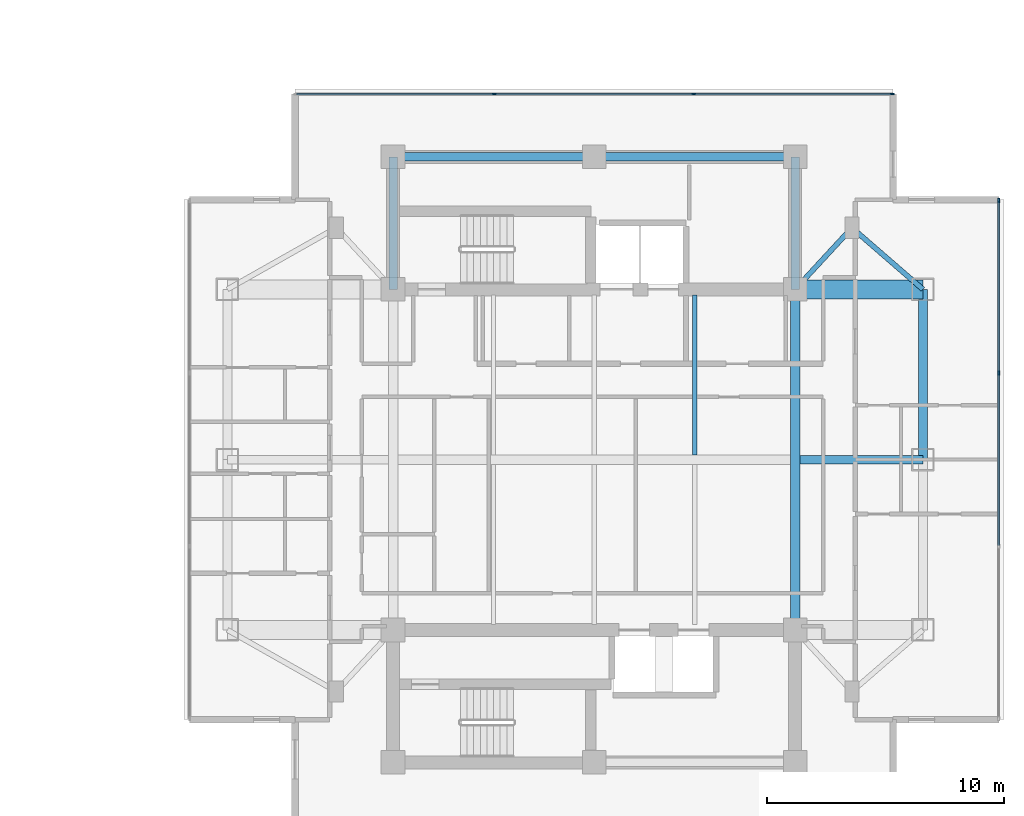
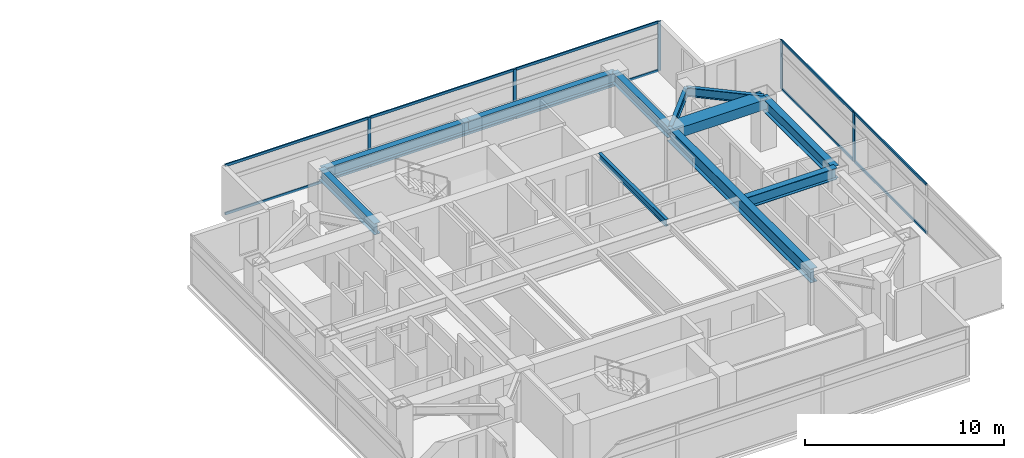
# One storey, part 10 of 24: 15 members, 11 beams, 2 elements without a shape of their own.
"""IFC4 building model written with IfcOpenShell, lengths in metres."""

from ifc_helpers import new_model, si_unit, direction, frame, origin, origin_2d, place, context, subcontext, project, spatial, rectangle, i_section, extrude, material, material_profile, profile_set, type_object, element, aggregate, save


model = new_model("IFC4")

# Units and contexts
model_context = context("Model", 3, precision=1e-05, world=origin(), true_north=direction((0.0, 1.0)))
body_context = subcontext(model_context, "Body", "Model", "MODEL_VIEW")
ifc_project = project(units=[si_unit("LENGTHUNIT", "METRE"), si_unit("AREAUNIT", "SQUARE_METRE"), si_unit("VOLUMEUNIT", "CUBIC_METRE"), si_unit("PLANEANGLEUNIT", "RADIAN"), si_unit("MASSUNIT", "GRAM", prefix="KILO")], contexts=[model_context])

# Site, building, storey
site_placement = place(None, origin())
site = spatial("IfcSite", under=ifc_project, at=site_placement, CompositionType="ELEMENT")
building_placement = place(site_placement, origin())
building = spatial("IfcBuilding", under=site, at=building_placement, Name="Mirazonda Arch Towers", CompositionType="ELEMENT")
storey_placement = place(building_placement, frame((0.0, 0.0, 160.89990234375)))
storey = spatial("IfcBuildingStorey", under=building, at=storey_placement, Name="L45", CompositionType="ELEMENT", Elevation=160.89990234375)

# Beams
ifc_material_1 = material(Name="Steel ASTM A992 Grade 50", Category="steel")
ifc_material_profile_1 = material_profile(ifc_material_1, i_section(OverallWidth=0.381103515625, OverallDepth=0.77294921875, WebThickness=0.0166015625, FlangeThickness=0.027099609375, at=origin_2d()), Name="W30X173")
ifc_profile_set_1 = profile_set([ifc_material_profile_1], Name="Steel ASTM A992 Grade 50")
beam_type_1 = type_object("IfcBeamType", Name="BM-EXT-W30X173", PredefinedType="USERDEFINED", material=ifc_profile_set_1)
beam_1_placement = place(storey_placement, frame((90.39990234375, 28.0, 2.66357421875), z_axis=(0.0, 1.0, 0.0), x_axis=(-1.0, 0.0, 0.0)))
element("IfcBeam", 1, at=beam_1_placement, inside=storey, type_object=beam_type_1, Name="L45 Floor Beam BM-T2-L45-NS-E-28", ObjectType="GIRDER", PredefinedType="USERDEFINED", context=body_context, shape_type="SweptSolid", body=[
    extrude(i_section(OverallWidth=0.381103515625, OverallDepth=0.77294921875, WebThickness=0.0166015625, FlangeThickness=0.027099609375, at=origin_2d()), origin(), (0.0, 0.0, 1.0), 7.199951171875),
])
ifc_material_profile_2 = material_profile(ifc_material_1, i_section(OverallWidth=0.180908203125, OverallDepth=0.4169921875, WebThickness=0.010986328125, FlangeThickness=0.018310546875, at=origin_2d()), Name="W16X57")
ifc_profile_set_2 = profile_set([ifc_material_profile_2], Name="Steel ASTM A992 Grade 50")
beam_type_2 = type_object("IfcBeamType", Name="BM-INT-W16X57", PredefinedType="JOIST", material=ifc_profile_set_2)
beam_2_placement = place(storey_placement, frame((80.75, 28.196044921875, 2.841552734375), z_axis=(0.0, 1.0, 0.0), x_axis=(-1.0, 0.0, 0.0)))
element("IfcBeam", 2, at=beam_2_placement, inside=storey, type_object=beam_type_2, Name="L45 Floor Beam BM-T2-L45-J-807-28", PredefinedType="JOIST", context=body_context, shape_type="SweptSolid", body=[
    extrude(i_section(OverallWidth=0.180908203125, OverallDepth=0.4169921875, WebThickness=0.010986328125, FlangeThickness=0.018310546875, at=origin_2d()), origin(), (0.0, 0.0, 1.0), 6.763916015625),
])
ifc_material_profile_3 = material_profile(ifc_material_1, i_section(OverallWidth=0.214111328125, OverallDepth=0.549072265625, WebThickness=0.0146484375, FlangeThickness=0.023681640625, at=origin_2d()), Name="W21X93")
ifc_profile_set_3 = profile_set([ifc_material_profile_3], Name="Steel ASTM A992 Grade 50")
beam_type_3 = type_object("IfcBeamType", Name="BM-INT-W21X93", PredefinedType="BEAM", material=ifc_profile_set_3)
beam_3_placement = place(storey_placement, frame((87.39990234375, 37.800048828125, 2.775634765625), z_axis=(-0.678251444854, -0.734829897019, 0.0), x_axis=(0.734829897019, -0.678251444854, 0.0)))
element("IfcBeam", 3, at=beam_3_placement, inside=storey, type_object=beam_type_3, Name="L45 Floor Beam BM-T2-L45-PL-NE1", PredefinedType="BEAM", context=body_context, shape_type="SweptSolid", body=[
    extrude(i_section(OverallWidth=0.214111328125, OverallDepth=0.549072265625, WebThickness=0.0146484375, FlangeThickness=0.023681640625, at=origin_2d()), origin(), (0.0, 0.0, 1.0), 3.538330078125),
])
beam_4_placement = place(storey_placement, frame((87.39990234375, 37.800048828125, 2.775634765625), z_axis=(0.755676908098, -0.654944585876, 0.0), x_axis=(0.654944585876, 0.755676908098, 0.0)))
element("IfcBeam", 4, at=beam_4_placement, inside=storey, type_object=beam_type_3, Name="L45 Floor Beam BM-T2-L45-PL-NE2", PredefinedType="BEAM", context=body_context, shape_type="SweptSolid", body=[
    extrude(i_section(OverallWidth=0.214111328125, OverallDepth=0.549072265625, WebThickness=0.0146484375, FlangeThickness=0.023681640625, at=origin_2d()), origin(), (0.0, 0.0, 1.0), 3.969970703125),
])
ifc_material_profile_4 = material_profile(ifc_material_1, i_section(OverallWidth=0.35498046875, OverallDepth=0.696044921875, WebThickness=0.015380859375, FlangeThickness=0.02490234375, at=origin_2d()), Name="W27X146")
ifc_profile_set_4 = profile_set([ifc_material_profile_4], Name="Steel ASTM A992 Grade 50")
beam_type_4 = type_object("IfcBeamType", Name="BM-INT-W27X146", PredefinedType="BEAM", material=ifc_profile_set_4)
for number, where, z_axis, x_axis, name in (
    (5, (68.0, 40.800048828125, 2.7021484375), (1.0, 0.0, 0.0), (0.0, 1.0, 0.0), "L45 Floor Beam BM-T2-L45-CN1"),
    (6, (76.5, 40.800048828125, 2.7021484375), (1.0, 0.0, 0.0), (0.0, 1.0, 0.0), "L45 Floor Beam BM-T2-L45-CN2"),
):
    element("IfcBeam", number, at=place(storey_placement, frame(where, z_axis=z_axis, x_axis=x_axis)), inside=storey, type_object=beam_type_4, Name=name, PredefinedType="BEAM", context=body_context, shape_type="SweptSolid", body=[
        extrude(i_section(OverallWidth=0.35498046875, OverallDepth=0.696044921875, WebThickness=0.015380859375, FlangeThickness=0.02490234375, at=origin_2d()), origin(), (0.0, 0.0, 1.0), 8.5),
    ])
for number, where, z_axis, x_axis, name in (
    (7, (68.0, 35.199951171875, 2.7021484375), (0.0, 1.0, 0.0), (-1.0, 0.0, 0.0), "L45 Floor Beam BM-T2-L45-CNW"),
    (8, (85.0, 35.199951171875, 2.7021484375), (0.0, 1.0, 0.0), (-1.0, 0.0, 0.0), "L45 Floor Beam BM-T2-L45-CNE"),
):
    element("IfcBeam", number, at=place(storey_placement, frame(where, z_axis=z_axis, x_axis=x_axis)), inside=storey, type_object=beam_type_4, Name=name, PredefinedType="BEAM", context=body_context, shape_type="SweptSolid", body=[
        extrude(i_section(OverallWidth=0.35498046875, OverallDepth=0.696044921875, WebThickness=0.015380859375, FlangeThickness=0.02490234375, at=origin_2d()), origin(), (0.0, 0.0, 1.0), 5.60009765625),
    ])
beam_5_placement = place(storey_placement, frame((85.199951171875, 28.0, 2.7021484375), z_axis=(1.0, 0.0, 0.0), x_axis=(0.0, 1.0, 0.0)))
element("IfcBeam", 9, at=beam_5_placement, inside=storey, type_object=beam_type_4, Name="L45 Floor Beam BM-T2-L45-GE2", PredefinedType="BEAM", context=body_context, shape_type="SweptSolid", body=[
    extrude(i_section(OverallWidth=0.35498046875, OverallDepth=0.696044921875, WebThickness=0.015380859375, FlangeThickness=0.02490234375, at=origin_2d()), origin(), (0.0, 0.0, 1.0), 5.199951171875),
])
ifc_material_profile_5 = material_profile(ifc_material_1, i_section(OverallWidth=0.39990234375, OverallDepth=0.85595703125, WebThickness=0.018310546875, FlangeThickness=0.029296875, at=origin_2d()), Name="W33X201")
ifc_profile_set_5 = profile_set([ifc_material_profile_5], Name="Steel ASTM A992 Grade 50")
beam_type_5 = type_object("IfcBeamType", Name="BM-INT-W33X201", PredefinedType="USERDEFINED", material=ifc_profile_set_5)
beam_6_placement = place(storey_placement, frame((85.0, 20.800048828125, 2.6220703125), z_axis=(0.0, 1.0, 0.0), x_axis=(-1.0, 0.0, 0.0)))
element("IfcBeam", 10, at=beam_6_placement, inside=storey, type_object=beam_type_5, Name="L45 Floor Beam BM-T2-L45-NS-CE-FULL", ObjectType="GIRDER", PredefinedType="USERDEFINED", context=body_context, shape_type="SweptSolid", body=[
    extrude(i_section(OverallWidth=0.39990234375, OverallDepth=0.85595703125, WebThickness=0.018310546875, FlangeThickness=0.029296875, at=origin_2d()), origin(), (0.0, 0.0, 1.0), 14.39990234375),
])
ifc_material_2 = material(Name="Concrete C60/75", Category="concrete")
ifc_material_profile_6 = material_profile(ifc_material_2, rectangle(XDim=0.800048828125, YDim=0.60009765625, at=origin_2d()), Name="RCCB800x600")
ifc_profile_set_6 = profile_set([ifc_material_profile_6], Name="Concrete C60/75")
beam_type_6 = type_object("IfcBeamType", Name="CB-INT-RCCB800x600", PredefinedType="SPANDREL", material=ifc_profile_set_6)
beam_7_placement = place(storey_placement, frame((85.0, 35.199951171875, 2.75), z_axis=(1.0, 0.0, 0.0), x_axis=(0.0, 1.0, 0.0)))
element("IfcBeam", 11, at=beam_7_placement, inside=storey, type_object=beam_type_6, Name="L45 Floor Beam CBC-T2-L45-NE", PredefinedType="SPANDREL", context=body_context, shape_type="SweptSolid", body=[
    extrude(rectangle(XDim=0.800048828125, YDim=0.60009765625, at=origin_2d()), origin(), (0.0, 0.0, 1.0), 5.39990234375),
])

# Curtain wall, members
ifc_material_3 = material(Name="Anodised Aluminium and Low-E Glass", Category="aluminium")
curtain_wall_type = type_object("IfcCurtainWallType", Name="CW-RES-UNIT", PredefinedType="NOTDEFINED", material=ifc_material_3)
curtain_wall_1_placement = place(storey_placement, origin())
curtain_wall_1 = element("IfcCurtainWall", 12, at=curtain_wall_1_placement, inside=storey, type_object=curtain_wall_type, Name="L45 T2 E Facade CW-L45-T2-E", PredefinedType="NOTDEFINED")
ifc_material_4 = material(Name="Anodised Aluminium Alloy", Category="aluminium")
ifc_material_profile_7 = material_profile(ifc_material_4, rectangle(XDim=0.074951171875, YDim=0.175048828125, at=origin_2d()), Name="ALU-MULL-75x175")
ifc_profile_set_7 = profile_set([ifc_material_profile_7], Name="Anodised Aluminium Alloy")
member_type_1 = type_object("IfcMemberType", Name="MULL-CW-RES-UNIT", PredefinedType="MULLION", material=ifc_profile_set_7)
member_1_placement = place(storey_placement, frame((93.6083984375, 31.664306640625, 0.0), z_axis=(0.0, 0.0, 1.0), x_axis=(-1.0, 0.0, 0.0)))
member_1 = element("IfcMember", 13, at=member_1_placement, type_object=member_type_1, Name="CW-104 mullion 3", PredefinedType="MULLION", context=body_context, shape_type="SweptSolid", body=[
    extrude(rectangle(XDim=0.074951171875, YDim=0.175048828125, at=origin_2d()), origin(), (0.0, 0.0, 1.0), 3.030029296875),
])
member_2_placement = place(storey_placement, frame((93.6083984375, 38.955322265625, 0.0), z_axis=(0.0, 0.0, 1.0), x_axis=(-1.0, 0.0, 0.0)))
member_2 = element("IfcMember", 14, at=member_2_placement, type_object=member_type_1, Name="CW-104 mullion 4", PredefinedType="MULLION", context=body_context, shape_type="SweptSolid", body=[
    extrude(rectangle(XDim=0.074951171875, YDim=0.175048828125, at=origin_2d()), origin(), (0.0, 0.0, 1.0), 3.030029296875),
])

curtain_wall_2_placement = place(storey_placement, origin())
curtain_wall_2 = element("IfcCurtainWall", 15, at=curtain_wall_2_placement, inside=storey, type_object=curtain_wall_type, Name="L45 T2 N Facade CW-L45-T2-N", PredefinedType="NOTDEFINED")
member_3_placement = place(storey_placement, frame((72.28564453125, 43.4580078125, 0.0), z_axis=(0.0, 0.0, 1.0), x_axis=(0.0, 1.0, 0.0)))
member_3 = element("IfcMember", 16, at=member_3_placement, type_object=member_type_1, Name="CW-104 mullion 2", PredefinedType="MULLION", context=body_context, shape_type="SweptSolid", body=[
    extrude(rectangle(XDim=0.074951171875, YDim=0.175048828125, at=origin_2d()), origin(), (0.0, 0.0, 1.0), 3.030029296875),
])
member_4_placement = place(storey_placement, frame((80.71435546875, 43.4580078125, 0.0), z_axis=(0.0, 0.0, 1.0), x_axis=(0.0, 1.0, 0.0)))
member_4 = element("IfcMember", 17, at=member_4_placement, type_object=member_type_1, Name="CW-104 mullion 3", PredefinedType="MULLION", context=body_context, shape_type="SweptSolid", body=[
    extrude(rectangle(XDim=0.074951171875, YDim=0.175048828125, at=origin_2d()), origin(), (0.0, 0.0, 1.0), 3.030029296875),
])
member_5_placement = place(storey_placement, frame((89.105712890625, 43.4580078125, 0.0), z_axis=(0.0, 0.0, 1.0), x_axis=(0.0, 1.0, 0.0)))
member_5 = element("IfcMember", 18, at=member_5_placement, type_object=member_type_1, Name="CW-104 mullion 4", PredefinedType="MULLION", context=body_context, shape_type="SweptSolid", body=[
    extrude(rectangle(XDim=0.074951171875, YDim=0.175048828125, at=origin_2d()), origin(), (0.0, 0.0, 1.0), 3.030029296875),
])

# Member
ifc_material_profile_8 = material_profile(ifc_material_4, rectangle(XDim=0.074951171875, YDim=0.155029296875, at=origin_2d()), Name="ALU-TRAN-75x155")
ifc_profile_set_8 = profile_set([ifc_material_profile_8], Name="Anodised Aluminium Alloy")
member_type_2 = type_object("IfcMemberType", Name="TRAN-CW-RES-UNIT", PredefinedType="USERDEFINED", material=ifc_profile_set_8)
member_6_placement = place(storey_placement, frame((93.6083984375, 24.373291015625, 0.03759765625), z_axis=(0.0, 1.0, 0.0), x_axis=(-1.0, 0.0, 0.0)))
member_6 = element("IfcMember", 19, at=member_6_placement, type_object=member_type_2, Name="CW-104 transom 2.1", ObjectType="TRANSOM", PredefinedType="USERDEFINED", context=body_context, shape_type="SweptSolid", body=[
    extrude(rectangle(XDim=0.074951171875, YDim=0.155029296875, at=origin_2d()), origin(), (0.0, 0.0, 1.0), 7.25341796875),
])

member_7_placement = place(storey_placement, frame((93.6083984375, 24.373291015625, 2.99267578125), z_axis=(0.0, 1.0, 0.0), x_axis=(-1.0, 0.0, 0.0)))
member_7 = element("IfcMember", 20, at=member_7_placement, type_object=member_type_2, Name="CW-104 transom 2.2", ObjectType="TRANSOM", PredefinedType="USERDEFINED", context=body_context, shape_type="SweptSolid", body=[
    extrude(rectangle(XDim=0.074951171875, YDim=0.155029296875, at=origin_2d()), origin(), (0.0, 0.0, 1.0), 7.25341796875),
])

member_8_placement = place(storey_placement, frame((93.6083984375, 31.701904296875, 0.03759765625), z_axis=(0.0, 1.0, 0.0), x_axis=(-1.0, 0.0, 0.0)))
member_8 = element("IfcMember", 21, at=member_8_placement, type_object=member_type_2, Name="CW-104 transom 3.1", ObjectType="TRANSOM", PredefinedType="USERDEFINED", context=body_context, shape_type="SweptSolid", body=[
    extrude(rectangle(XDim=0.074951171875, YDim=0.155029296875, at=origin_2d()), origin(), (0.0, 0.0, 1.0), 7.216064453125),
])

member_9_placement = place(storey_placement, frame((93.6083984375, 31.701904296875, 2.99267578125), z_axis=(0.0, 1.0, 0.0), x_axis=(-1.0, 0.0, 0.0)))
member_9 = element("IfcMember", 22, at=member_9_placement, type_object=member_type_2, Name="CW-104 transom 3.2", ObjectType="TRANSOM", PredefinedType="USERDEFINED", context=body_context, shape_type="SweptSolid", body=[
    extrude(rectangle(XDim=0.074951171875, YDim=0.155029296875, at=origin_2d()), origin(), (0.0, 0.0, 1.0), 7.216064453125),
])

aggregate(curtain_wall_1, [member_1, member_2, member_6, member_7, member_8, member_9])

member_10_placement = place(storey_placement, frame((63.931640625, 43.4580078125, 0.03759765625), z_axis=(1.0, 0.0, 0.0), x_axis=(0.0, 1.0, 0.0)))
member_10 = element("IfcMember", 23, at=member_10_placement, type_object=member_type_2, Name="CW-104 transom 1.1", ObjectType="TRANSOM", PredefinedType="USERDEFINED", context=body_context, shape_type="SweptSolid", body=[
    extrude(rectangle(XDim=0.074951171875, YDim=0.155029296875, at=origin_2d()), origin(), (0.0, 0.0, 1.0), 8.31640625),
])

member_11_placement = place(storey_placement, frame((63.931640625, 43.4580078125, 2.99267578125), z_axis=(1.0, 0.0, 0.0), x_axis=(0.0, 1.0, 0.0)))
member_11 = element("IfcMember", 24, at=member_11_placement, type_object=member_type_2, Name="CW-104 transom 1.2", ObjectType="TRANSOM", PredefinedType="USERDEFINED", context=body_context, shape_type="SweptSolid", body=[
    extrude(rectangle(XDim=0.074951171875, YDim=0.155029296875, at=origin_2d()), origin(), (0.0, 0.0, 1.0), 8.31640625),
])

member_12_placement = place(storey_placement, frame((72.322998046875, 43.4580078125, 0.03759765625), z_axis=(1.0, 0.0, 0.0), x_axis=(0.0, 1.0, 0.0)))
member_12 = element("IfcMember", 25, at=member_12_placement, type_object=member_type_2, Name="CW-104 transom 2.1", ObjectType="TRANSOM", PredefinedType="USERDEFINED", context=body_context, shape_type="SweptSolid", body=[
    extrude(rectangle(XDim=0.074951171875, YDim=0.155029296875, at=origin_2d()), origin(), (0.0, 0.0, 1.0), 8.35400390625),
])

member_13_placement = place(storey_placement, frame((72.322998046875, 43.4580078125, 2.99267578125), z_axis=(1.0, 0.0, 0.0), x_axis=(0.0, 1.0, 0.0)))
member_13 = element("IfcMember", 26, at=member_13_placement, type_object=member_type_2, Name="CW-104 transom 2.2", ObjectType="TRANSOM", PredefinedType="USERDEFINED", context=body_context, shape_type="SweptSolid", body=[
    extrude(rectangle(XDim=0.074951171875, YDim=0.155029296875, at=origin_2d()), origin(), (0.0, 0.0, 1.0), 8.35400390625),
])

member_14_placement = place(storey_placement, frame((80.751953125, 43.4580078125, 0.03759765625), z_axis=(1.0, 0.0, 0.0), x_axis=(0.0, 1.0, 0.0)))
member_14 = element("IfcMember", 27, at=member_14_placement, type_object=member_type_2, Name="CW-104 transom 3.1", ObjectType="TRANSOM", PredefinedType="USERDEFINED", context=body_context, shape_type="SweptSolid", body=[
    extrude(rectangle(XDim=0.074951171875, YDim=0.155029296875, at=origin_2d()), origin(), (0.0, 0.0, 1.0), 8.31640625),
])

member_15_placement = place(storey_placement, frame((80.751953125, 43.4580078125, 2.99267578125), z_axis=(1.0, 0.0, 0.0), x_axis=(0.0, 1.0, 0.0)))
member_15 = element("IfcMember", 28, at=member_15_placement, type_object=member_type_2, Name="CW-104 transom 3.2", ObjectType="TRANSOM", PredefinedType="USERDEFINED", context=body_context, shape_type="SweptSolid", body=[
    extrude(rectangle(XDim=0.074951171875, YDim=0.155029296875, at=origin_2d()), origin(), (0.0, 0.0, 1.0), 8.31640625),
])

aggregate(curtain_wall_2, [member_3, member_4, member_5, member_10, member_11, member_12, member_13, member_14, member_15])

save(model, "model.ifc")
